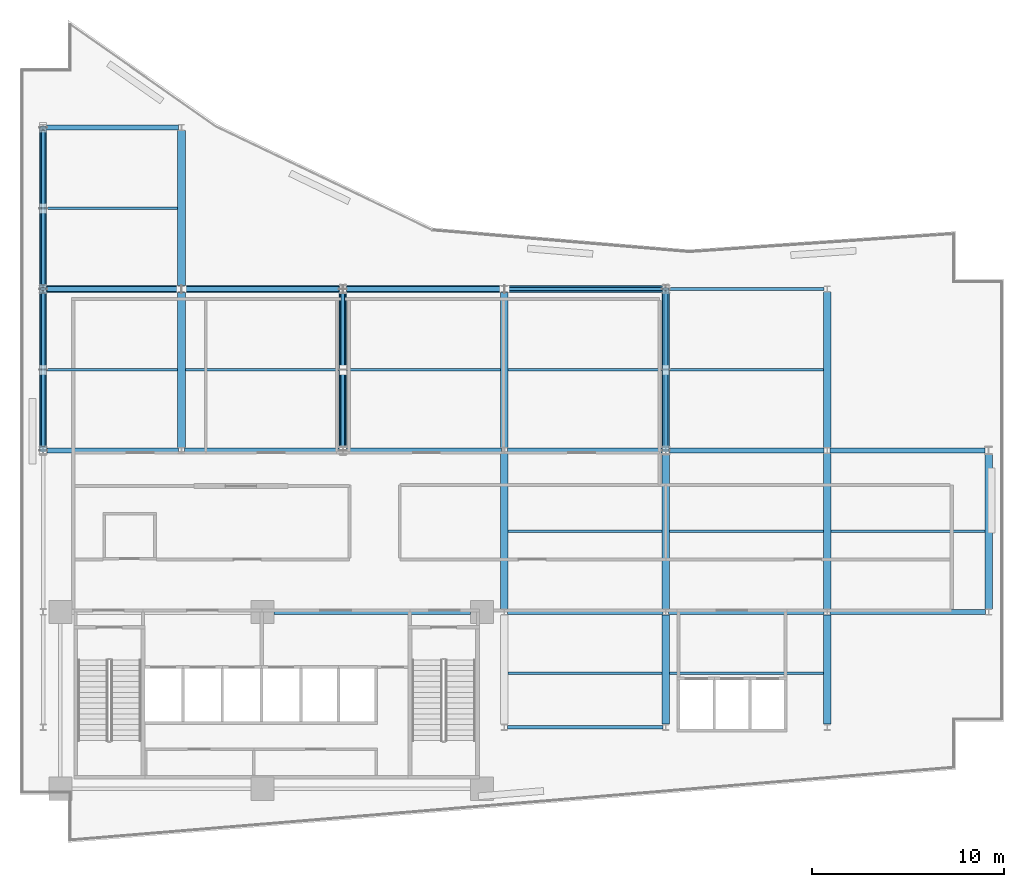
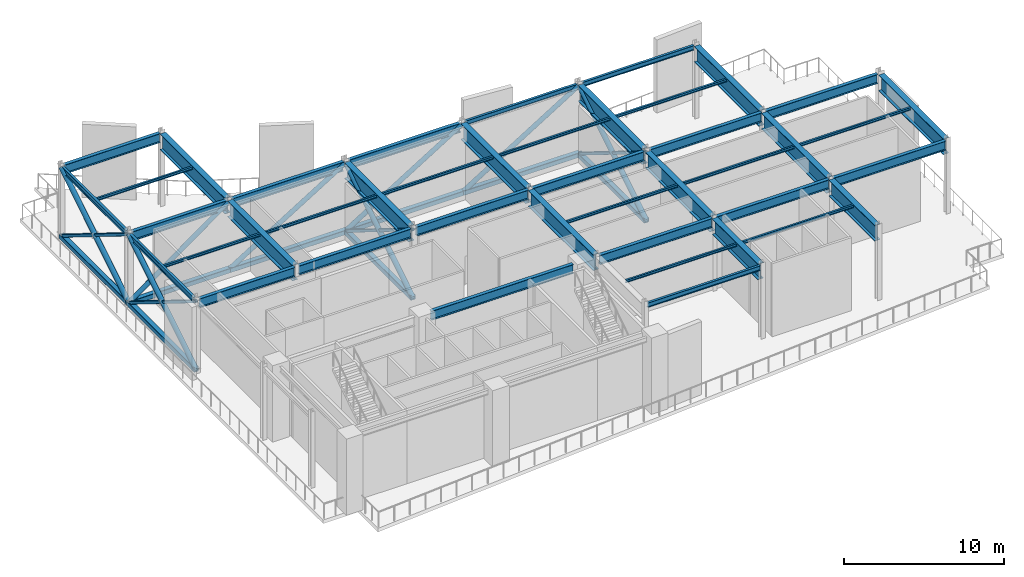
# One storey, part 4 of 13: 42 beams, 24 members.
"""IFC4 building model written with IfcOpenShell, lengths in metres."""

import ifcopenshell
import ifcopenshell.guid

model = None  # the IFC model being written
_history = None  # IfcOwnerHistory: only IFC2X3 demands one
_inside = {}  # id of a spatial element -> (the spatial element, [elements in it])
_under = {}  # id of a project, library or spatial element -> (it, [spatial elements below it])
_declared = {}  # id of a project -> (the project, [libraries it declares])
_typed = {}  # id of a type object -> (the type object, [elements of that type])
_made_of = {}  # id of a material, layer set ... -> (it, [elements and type objects made of it])


def new_model(schema):
    """Start an empty IFC model of exactly this schema.

    Asked for "IFC4X3", IfcOpenShell would pick the latest addendum, in which some entities
    have other attributes; the version numbers below select the first issue.
    IFC2X3 requires an IfcOwnerHistory on every rooted entity: one is made here for all.
    """
    global model, _history
    if schema == "IFC4X3":
        model = ifcopenshell.file(schema_version=(4, 3, 0, 0))
    else:
        model = ifcopenshell.file(schema=schema)
    _inside.clear()
    _under.clear()
    _declared.clear()
    _typed.clear()
    _made_of.clear()
    _history = None
    if model.schema == "IFC2X3":
        org = make("IfcOrganization", Name="unknown")
        user = make(
            "IfcPersonAndOrganization",
            ThePerson=make("IfcPerson", FamilyName="unknown"),
            TheOrganization=org,
        )
        app = make(
            "IfcApplication",
            ApplicationDeveloper=org,
            Version="unknown",
            ApplicationFullName="unknown",
            ApplicationIdentifier="unknown",
        )
        _history = make(
            "IfcOwnerHistory",
            OwningUser=user,
            OwningApplication=app,
            ChangeAction="ADDED",
            CreationDate=0,
        )
    return model


def make(cls, **values):
    """One entity of the class cls with the attributes given. An attribute that is None is left unset."""
    return model.create_entity(
        cls, **{name: value for name, value in values.items() if value is not None}
    )


def rooted(cls, **values):
    """An entity with a GlobalId (a new one), such as an element, a storey or a relation."""
    return make(cls, GlobalId=ifcopenshell.guid.new(), OwnerHistory=_history, **values)


def si_unit(unit_type, name, prefix=None):
    """IfcSIUnit, for example si_unit("LENGTHUNIT", "METRE", prefix="MILLI")."""
    return make("IfcSIUnit", UnitType=unit_type, Prefix=prefix, Name=name)


def assignment(units):
    """IfcUnitAssignment: the units of a project."""
    return None if units is None else make("IfcUnitAssignment", Units=units)


def point(xyz):
    """IfcCartesianPoint."""
    return None if xyz is None else make("IfcCartesianPoint", Coordinates=xyz)


def direction(xyz):
    """IfcDirection."""
    return None if xyz is None else make("IfcDirection", DirectionRatios=xyz)


def frame(location, z_axis=None, x_axis=None):
    """IfcAxis2Placement3D, a coordinate frame: its origin and axes. An axis left out is left unset."""
    return make(
        "IfcAxis2Placement3D",
        Location=point(location),
        Axis=direction(z_axis),
        RefDirection=direction(x_axis),
    )


def frame_2d(location, x_axis=None):
    """IfcAxis2Placement2D, a coordinate frame in the plane: its origin and x axis."""
    return make(
        "IfcAxis2Placement2D", Location=point(location), RefDirection=direction(x_axis)
    )


def origin():
    """The frame at (0, 0, 0) with its axes left unset."""
    return frame((0.0, 0.0, 0.0))


def origin_2d():
    """The frame at (0, 0) in the plane with its x axis left unset."""
    return frame_2d((0.0, 0.0))


def place(relative_to, where):
    """IfcLocalPlacement: puts the frame where relative to a parent placement (None: the world)."""
    return make(
        "IfcLocalPlacement", PlacementRelTo=relative_to, RelativePlacement=where
    )


def context(
    kind, dimensions, precision=None, world=None, true_north=None, identifier=None
):
    """IfcGeometricRepresentationContext, for example the 3D "Model" context."""
    return make(
        "IfcGeometricRepresentationContext",
        ContextIdentifier=identifier,
        ContextType=kind,
        CoordinateSpaceDimension=dimensions,
        Precision=precision,
        WorldCoordinateSystem=world,
        TrueNorth=true_north,
    )


def subcontext(parent, identifier, kind, view, scale=None):
    """IfcGeometricRepresentationSubContext, for example "Body" below "Model"."""
    return make(
        "IfcGeometricRepresentationSubContext",
        ContextIdentifier=identifier,
        ContextType=kind,
        ParentContext=parent,
        TargetScale=scale,
        TargetView=view,
    )


def project(units=None, contexts=None):
    """IfcProject with its units and contexts."""
    return rooted(
        "IfcProject",
        Name="project",
        RepresentationContexts=contexts,
        UnitsInContext=assignment(units),
    )


def spatial(cls, under=None, at=None, **own):
    """A site, building, storey or space (cls), placed at a placement, below another one or the project."""
    s = rooted(cls, ObjectPlacement=at, **own)
    if under is not None:
        _under.setdefault(under.id(), (under, []))[1].append(s)
    return s


def profile(cls, at=None, kind="AREA", **sizes):
    """A parametric profile (cls). Its sizes go by their IFC names, for example OverallWidth=200.0."""
    return make(cls, ProfileType=kind, Position=at, **sizes)


def hollow_rectangle(**sizes):
    """IfcRectangleHollowProfileDef."""
    return profile("IfcRectangleHollowProfileDef", **sizes)


def hollow_circle(**sizes):
    """IfcCircleHollowProfileDef."""
    return profile("IfcCircleHollowProfileDef", **sizes)


def i_section(**sizes):
    """IfcIShapeProfileDef."""
    return profile("IfcIShapeProfileDef", **sizes)


def extrude(swept, where, along, depth):
    """IfcExtrudedAreaSolid: the profile swept, set in the frame where, extruded along a direction by depth."""
    return make(
        "IfcExtrudedAreaSolid",
        SweptArea=swept,
        Position=where,
        ExtrudedDirection=direction(along),
        Depth=depth,
    )


def shape(context_of_items, identifier, shape_type, items):
    """IfcShapeRepresentation: the items that make up one representation, for example the "Body"."""
    return make(
        "IfcShapeRepresentation",
        ContextOfItems=context_of_items,
        RepresentationIdentifier=identifier,
        RepresentationType=shape_type,
        Items=items,
    )


def material(Name=None, Category=None):
    """IfcMaterial."""
    return make("IfcMaterial", Name=Name, Category=Category)


def material_profile(
    of_material, cross_section, Name=None, Category=None, Priority=None
):
    """IfcMaterialProfile: a cross section and its material."""
    return make(
        "IfcMaterialProfile",
        Name=Name,
        Material=of_material,
        Profile=cross_section,
        Priority=Priority,
        Category=Category,
    )


def profile_set(profiles, Name=None, composite=None):
    """IfcMaterialProfileSet."""
    return make(
        "IfcMaterialProfileSet",
        Name=Name,
        MaterialProfiles=profiles,
        CompositeProfile=composite,
    )


def made_of(thing, what):
    """Note that an element or type object is made of a material, layer set ...; save() writes the relation."""
    if what is not None:
        _made_of.setdefault(what.id(), (what, []))[1].append(thing)
    return thing


def type_object(cls, material=None, **own):
    """A type object (cls), such as IfcWallType, which elements share."""
    return made_of(rooted(cls, **own), material)


def element(
    cls,
    number,
    at=None,
    inside=None,
    cuts=None,
    type_object=None,
    material=None,
    context=None,
    identifier="Body",
    shape_type=None,
    held_by="IfcProductDefinitionShape",
    body=None,
    shapes=None,
    **own,
):
    """One element of the class cls, such as IfcWall. Its Tag is "e" and its number.

    at: its placement. inside: the storey or other place that contains it. cuts: it is an
    opening in that element (IfcRelVoidsElement). A single representation is given by context,
    identifier, shape_type and body (its items); several are given by shapes. held_by: the class
    of the entity that holds the representations. save() writes the other relations.
    """
    e = rooted(cls, Tag="e%d" % number, ObjectPlacement=at, **own)
    if body is not None:
        shapes = [shape(context, identifier, shape_type, body)]
    if shapes is not None:
        e.Representation = make(held_by, Representations=shapes)
    if inside is not None:
        _inside.setdefault(inside.id(), (inside, []))[1].append(e)
    if cuts is not None:
        rooted(
            "IfcRelVoidsElement", RelatingBuildingElement=cuts, RelatedOpeningElement=e
        )
    if type_object is not None:
        _typed.setdefault(type_object.id(), (type_object, []))[1].append(e)
    return made_of(e, material)


def aggregate(whole, parts):
    """IfcRelAggregates: a whole, such as a stair, and the parts it consists of."""
    return rooted("IfcRelAggregates", RelatingObject=whole, RelatedObjects=parts)


def save(model, path):
    """Write the relations noted so far, then the file.

    IfcRelAggregates (storeys below a building ...), IfcRelContainedInSpatialStructure (elements
    in a storey), IfcRelDefinesByType, IfcRelAssociatesMaterial and IfcRelDeclares: one each for
    every whole, place, type object, material and project.
    """
    for whole, parts in _under.values():
        aggregate(whole, parts)
    for where, things in _inside.values():
        rooted(
            "IfcRelContainedInSpatialStructure",
            RelatedElements=things,
            RelatingStructure=where,
        )
    for kind, things in _typed.values():
        rooted("IfcRelDefinesByType", RelatedObjects=things, RelatingType=kind)
    for what, things in _made_of.values():
        rooted("IfcRelAssociatesMaterial", RelatedObjects=things, RelatingMaterial=what)
    for by, libraries in _declared.values():
        rooted("IfcRelDeclares", RelatingContext=by, RelatedDefinitions=libraries)
    model.write(path)


model = new_model("IFC4")

# Units and contexts
model_context = context("Model", 3, precision=1e-05, world=origin(), true_north=direction((0.0, 1.0)))
body_context = subcontext(model_context, "Body", "Model", "MODEL_VIEW")
ifc_project = project(units=[si_unit("LENGTHUNIT", "METRE"), si_unit("AREAUNIT", "SQUARE_METRE"), si_unit("VOLUMEUNIT", "CUBIC_METRE"), si_unit("PLANEANGLEUNIT", "RADIAN"), si_unit("MASSUNIT", "GRAM", prefix="KILO")], contexts=[model_context])

# Site, building, storey
site_placement = place(None, origin())
site = spatial("IfcSite", under=ifc_project, at=site_placement, CompositionType="ELEMENT")
building_placement = place(site_placement, origin())
building = spatial("IfcBuilding", under=site, at=building_placement, Name="Varnakote Quay Hospital", CompositionType="ELEMENT")
storey_placement = place(building_placement, frame((0.0, 0.0, 174.449951171875)))
storey = spatial("IfcBuildingStorey", under=building, at=storey_placement, Name="L43", CompositionType="ELEMENT", Elevation=174.449951171875)

# Beams
ifc_material_1 = material(Name="Structural steel AS/NZS 3678 Grade 350 (fy 340 MPa)", Category="steel")
ifc_material_profile_1 = material_profile(ifc_material_1, i_section(OverallWidth=0.39990234375, OverallDepth=1.2099609375, WebThickness=0.01611328125, FlangeThickness=0.0400390625, at=origin_2d()), Name="1200WB392")
ifc_profile_set_1 = profile_set([ifc_material_profile_1], Name="Structural steel AS/NZS 3678 Grade 350 (fy 340 MPa)")
beam_type_1 = type_object("IfcBeamType", Name="BM-STL-1200WB392", PredefinedType="BEAM", material=ifc_profile_set_1)
for number, where, z_axis, x_axis, name in (
    (1, (8.39990234375, 20.5576171875, 4.955078125), (0.0, 1.0, 0.0), (-1.0, 0.0, 0.0), "L43 Primary Tie Beam"),
    (2, (8.39990234375, 28.95751953125, 4.955078125), (0.0, 1.0, 0.0), (-1.0, 0.0, 0.0), "L43 Primary Tie Beam"),
):
    element("IfcBeam", number, at=place(storey_placement, frame(where, z_axis=z_axis, x_axis=x_axis)), inside=storey, type_object=beam_type_1, Name=name, PredefinedType="BEAM", context=body_context, shape_type="SweptSolid", body=[
        extrude(i_section(OverallWidth=0.39990234375, OverallDepth=1.2099609375, WebThickness=0.01611328125, FlangeThickness=0.0400390625, at=origin_2d()), origin(), (0.0, 0.0, 1.0), 8.0849609375),
    ])
beam_1_placement = place(storey_placement, frame((16.800048828125, 20.610107421875, 4.955078125), z_axis=(0.0, 1.0, 0.0), x_axis=(-1.0, 0.0, 0.0)))
element("IfcBeam", 3, at=beam_1_placement, inside=storey, type_object=beam_type_1, Name="L43 Primary Tie Beam", PredefinedType="BEAM", context=body_context, shape_type="SweptSolid", body=[
    extrude(i_section(OverallWidth=0.39990234375, OverallDepth=1.2099609375, WebThickness=0.01611328125, FlangeThickness=0.0400390625, at=origin_2d()), origin(), (0.0, 0.0, 1.0), 7.97998046875),
])
for number, where, z_axis, x_axis, name in (
    (4, (25.199951171875, 12.157470703125, 4.955078125), (0.0, 1.0, 0.0), (-1.0, 0.0, 0.0), "L43 Primary Tie Beam"),
    (5, (25.199951171875, 20.5576171875, 4.955078125), (0.0, 1.0, 0.0), (-1.0, 0.0, 0.0), "L43 Primary Tie Beam"),
):
    element("IfcBeam", number, at=place(storey_placement, frame(where, z_axis=z_axis, x_axis=x_axis)), inside=storey, type_object=beam_type_1, Name=name, PredefinedType="BEAM", context=body_context, shape_type="SweptSolid", body=[
        extrude(i_section(OverallWidth=0.39990234375, OverallDepth=1.2099609375, WebThickness=0.01611328125, FlangeThickness=0.0400390625, at=origin_2d()), origin(), (0.0, 0.0, 1.0), 8.0849609375),
    ])
beam_2_placement = place(storey_placement, frame((33.60009765625, 6.157470703125, 4.955078125), z_axis=(0.0, 1.0, 0.0), x_axis=(-1.0, 0.0, 0.0)))
element("IfcBeam", 6, at=beam_2_placement, inside=storey, type_object=beam_type_1, Name="L43 Primary Tie Beam", PredefinedType="BEAM", context=body_context, shape_type="SweptSolid", body=[
    extrude(i_section(OverallWidth=0.39990234375, OverallDepth=1.2099609375, WebThickness=0.01611328125, FlangeThickness=0.0400390625, at=origin_2d()), origin(), (0.0, 0.0, 1.0), 5.68505859375),
])
beam_3_placement = place(storey_placement, frame((33.60009765625, 12.157470703125, 4.955078125), z_axis=(0.0, 1.0, 0.0), x_axis=(-1.0, 0.0, 0.0)))
element("IfcBeam", 7, at=beam_3_placement, inside=storey, type_object=beam_type_1, Name="L43 Primary Tie Beam", PredefinedType="BEAM", context=body_context, shape_type="SweptSolid", body=[
    extrude(i_section(OverallWidth=0.39990234375, OverallDepth=1.2099609375, WebThickness=0.01611328125, FlangeThickness=0.0400390625, at=origin_2d()), origin(), (0.0, 0.0, 1.0), 8.032470703125),
])
beam_4_placement = place(storey_placement, frame((33.60009765625, 20.610107421875, 4.955078125), z_axis=(0.0, 1.0, 0.0), x_axis=(-1.0, 0.0, 0.0)))
element("IfcBeam", 8, at=beam_4_placement, inside=storey, type_object=beam_type_1, Name="L43 Primary Tie Beam", PredefinedType="BEAM", context=body_context, shape_type="SweptSolid", body=[
    extrude(i_section(OverallWidth=0.39990234375, OverallDepth=1.2099609375, WebThickness=0.01611328125, FlangeThickness=0.0400390625, at=origin_2d()), origin(), (0.0, 0.0, 1.0), 7.97998046875),
])
beam_5_placement = place(storey_placement, frame((42.0, 6.157470703125, 4.955078125), z_axis=(0.0, 1.0, 0.0), x_axis=(-1.0, 0.0, 0.0)))
element("IfcBeam", 9, at=beam_5_placement, inside=storey, type_object=beam_type_1, Name="L43 Primary Tie Beam", PredefinedType="BEAM", context=body_context, shape_type="SweptSolid", body=[
    extrude(i_section(OverallWidth=0.39990234375, OverallDepth=1.2099609375, WebThickness=0.01611328125, FlangeThickness=0.0400390625, at=origin_2d()), origin(), (0.0, 0.0, 1.0), 5.68505859375),
])
for number, where, z_axis, x_axis, name in (
    (10, (42.0, 12.157470703125, 4.955078125), (0.0, 1.0, 0.0), (-1.0, 0.0, 0.0), "L43 Primary Tie Beam"),
    (11, (42.0, 20.5576171875, 4.955078125), (0.0, 1.0, 0.0), (-1.0, 0.0, 0.0), "L43 Primary Tie Beam"),
):
    element("IfcBeam", number, at=place(storey_placement, frame(where, z_axis=z_axis, x_axis=x_axis)), inside=storey, type_object=beam_type_1, Name=name, PredefinedType="BEAM", context=body_context, shape_type="SweptSolid", body=[
        extrude(i_section(OverallWidth=0.39990234375, OverallDepth=1.2099609375, WebThickness=0.01611328125, FlangeThickness=0.0400390625, at=origin_2d()), origin(), (0.0, 0.0, 1.0), 8.0849609375),
    ])
beam_6_placement = place(storey_placement, frame((50.39990234375, 12.157470703125, 4.955078125), z_axis=(0.0, 1.0, 0.0), x_axis=(-1.0, 0.0, 0.0)))
element("IfcBeam", 12, at=beam_6_placement, inside=storey, type_object=beam_type_1, Name="L43 Primary Tie Beam", PredefinedType="BEAM", context=body_context, shape_type="SweptSolid", body=[
    extrude(i_section(OverallWidth=0.39990234375, OverallDepth=1.2099609375, WebThickness=0.01611328125, FlangeThickness=0.0400390625, at=origin_2d()), origin(), (0.0, 0.0, 1.0), 8.032470703125),
])
ifc_material_2 = material(Name="Structural steel AS/NZS 3678 Grade 350 (fy 340 MPa)", Category="steel")
ifc_material_profile_2 = material_profile(ifc_material_2, i_section(OverallWidth=0.25, OverallDepth=0.699951171875, WebThickness=0.010009765625, FlangeThickness=0.02001953125, at=origin_2d()), Name="700WB130")
ifc_profile_set_2 = profile_set([ifc_material_profile_2], Name="Structural steel AS/NZS 3678 Grade 350 (fy 340 MPa)")
beam_type_2 = type_object("IfcBeamType", Name="BM-STL-700WB130", PredefinedType="BEAM", material=ifc_profile_set_2)
beam_7_placement = place(storey_placement, frame((13.219970703125, 12.0, 5.2099609375), z_axis=(1.0, 0.0, 0.0), x_axis=(0.0, 1.0, 0.0)))
element("IfcBeam", 13, at=beam_7_placement, inside=storey, type_object=beam_type_2, Name="L43 Primary Floor Beam", PredefinedType="BEAM", context=body_context, shape_type="SweptSolid", body=[
    extrude(i_section(OverallWidth=0.25, OverallDepth=0.699951171875, WebThickness=0.010009765625, FlangeThickness=0.02001953125, at=origin_2d()), origin(), (0.0, 0.0, 1.0), 10.22998046875),
])
for number, where, z_axis, x_axis, name in (
    (14, (25.353515625, 12.0, 5.2099609375), (1.0, 0.0, 0.0), (0.0, 1.0, 0.0), "L43 Primary Floor Beam"),
    (15, (33.75341796875, 12.0, 5.2099609375), (1.0, 0.0, 0.0), (0.0, 1.0, 0.0), "L43 Primary Floor Beam"),
    (16, (42.153564453125, 12.0, 5.2099609375), (1.0, 0.0, 0.0), (0.0, 1.0, 0.0), "L43 Primary Floor Beam"),
):
    element("IfcBeam", number, at=place(storey_placement, frame(where, z_axis=z_axis, x_axis=x_axis)), inside=storey, type_object=beam_type_2, Name=name, PredefinedType="BEAM", context=body_context, shape_type="SweptSolid", body=[
        extrude(i_section(OverallWidth=0.25, OverallDepth=0.699951171875, WebThickness=0.010009765625, FlangeThickness=0.02001953125, at=origin_2d()), origin(), (0.0, 0.0, 1.0), 8.093017578125),
    ])
beam_8_placement = place(storey_placement, frame((1.39990234375, 20.39990234375, 5.2099609375), z_axis=(1.0, 0.0, 0.0), x_axis=(0.0, 1.0, 0.0)))
element("IfcBeam", 17, at=beam_8_placement, inside=storey, type_object=beam_type_2, Name="L43 Primary Floor Beam", PredefinedType="BEAM", context=body_context, shape_type="SweptSolid", body=[
    extrude(i_section(OverallWidth=0.25, OverallDepth=0.699951171875, WebThickness=0.010009765625, FlangeThickness=0.02001953125, at=origin_2d()), origin(), (0.0, 0.0, 1.0), 6.8466796875),
])
beam_9_placement = place(storey_placement, frame((8.553466796875, 20.39990234375, 5.2099609375), z_axis=(1.0, 0.0, 0.0), x_axis=(0.0, 1.0, 0.0)))
element("IfcBeam", 18, at=beam_9_placement, inside=storey, type_object=beam_type_2, Name="L43 Primary Floor Beam", PredefinedType="BEAM", context=body_context, shape_type="SweptSolid", body=[
    extrude(i_section(OverallWidth=0.25, OverallDepth=0.699951171875, WebThickness=0.010009765625, FlangeThickness=0.02001953125, at=origin_2d()), origin(), (0.0, 0.0, 1.0), 8.046630859375),
])
for number, where, z_axis, x_axis, name in (
    (19, (17.0, 20.39990234375, 5.2099609375), (1.0, 0.0, 0.0), (0.0, 1.0, 0.0), "L43 Primary Floor Beam"),
    (20, (25.353515625, 20.39990234375, 5.2099609375), (1.0, 0.0, 0.0), (0.0, 1.0, 0.0), "L43 Primary Floor Beam"),
    (21, (33.800048828125, 20.39990234375, 5.2099609375), (1.0, 0.0, 0.0), (0.0, 1.0, 0.0), "L43 Primary Floor Beam"),
    (22, (42.153564453125, 20.39990234375, 5.2099609375), (1.0, 0.0, 0.0), (0.0, 1.0, 0.0), "L43 Primary Floor Beam"),
):
    element("IfcBeam", number, at=place(storey_placement, frame(where, z_axis=z_axis, x_axis=x_axis)), inside=storey, type_object=beam_type_2, Name=name, PredefinedType="BEAM", context=body_context, shape_type="SweptSolid", body=[
        extrude(i_section(OverallWidth=0.25, OverallDepth=0.699951171875, WebThickness=0.010009765625, FlangeThickness=0.02001953125, at=origin_2d()), origin(), (0.0, 0.0, 1.0), 8.04638671875),
    ])
beam_10_placement = place(storey_placement, frame((1.39990234375, 28.800048828125, 5.2099609375), z_axis=(1.0, 0.0, 0.0), x_axis=(0.0, 1.0, 0.0)))
element("IfcBeam", 23, at=beam_10_placement, inside=storey, type_object=beam_type_2, Name="L43 Primary Floor Beam", PredefinedType="BEAM", context=body_context, shape_type="SweptSolid", body=[
    extrude(i_section(OverallWidth=0.25, OverallDepth=0.699951171875, WebThickness=0.010009765625, FlangeThickness=0.02001953125, at=origin_2d()), origin(), (0.0, 0.0, 1.0), 6.8466796875),
])
beam_11_placement = place(storey_placement, frame((8.553466796875, 28.800048828125, 5.2099609375), z_axis=(1.0, 0.0, 0.0), x_axis=(0.0, 1.0, 0.0)))
element("IfcBeam", 24, at=beam_11_placement, inside=storey, type_object=beam_type_2, Name="L43 Primary Floor Beam", PredefinedType="BEAM", context=body_context, shape_type="SweptSolid", body=[
    extrude(i_section(OverallWidth=0.25, OverallDepth=0.699951171875, WebThickness=0.010009765625, FlangeThickness=0.02001953125, at=origin_2d()), origin(), (0.0, 0.0, 1.0), 8.046630859375),
])
beam_12_placement = place(storey_placement, frame((17.0, 28.800048828125, 5.2099609375), z_axis=(1.0, 0.0, 0.0), x_axis=(0.0, 1.0, 0.0)))
element("IfcBeam", 25, at=beam_12_placement, inside=storey, type_object=beam_type_2, Name="L43 Primary Floor Beam", PredefinedType="BEAM", context=body_context, shape_type="SweptSolid", body=[
    extrude(i_section(OverallWidth=0.25, OverallDepth=0.699951171875, WebThickness=0.010009765625, FlangeThickness=0.02001953125, at=origin_2d()), origin(), (0.0, 0.0, 1.0), 8.04638671875),
])
beam_13_placement = place(storey_placement, frame((1.353515625, 37.199951171875, 5.2099609375), z_axis=(1.0, 0.0, 0.0), x_axis=(0.0, 1.0, 0.0)))
element("IfcBeam", 26, at=beam_13_placement, inside=storey, type_object=beam_type_2, Name="L43 Primary Floor Beam", PredefinedType="BEAM", context=body_context, shape_type="SweptSolid", body=[
    extrude(i_section(OverallWidth=0.25, OverallDepth=0.699951171875, WebThickness=0.010009765625, FlangeThickness=0.02001953125, at=origin_2d()), origin(), (0.0, 0.0, 1.0), 6.89306640625),
])
ifc_material_3 = material(Name="Structural steel AS/NZS 3679.1 Grade 350 L0 (fy 340 MPa)", Category="steel")
ifc_material_profile_3 = material_profile(ifc_material_3, i_section(OverallWidth=0.134033203125, OverallDepth=0.20703125, WebThickness=0.00634765625, FlangeThickness=0.009521484375, FilletRadius=0.0087890625, at=origin_2d()), Name="200UB29.8")
ifc_profile_set_3 = profile_set([ifc_material_profile_3], Name="Structural steel AS/NZS 3679.1 Grade 350 L0 (fy 340 MPa)")
beam_type_3 = type_object("IfcBeamType", Name="JST-STL-200UB29-8", PredefinedType="JOIST", material=ifc_profile_set_3)
for number, where, z_axis, x_axis, name in (
    (27, (25.39990234375, 8.800048828125, 5.45654296875), (1.0, 0.0, 0.0), (0.0, 1.0, 0.0), "L43 Composite Floor Joist"),
    (28, (33.800048828125, 8.800048828125, 5.45654296875), (1.0, 0.0, 0.0), (0.0, 1.0, 0.0), "L43 Composite Floor Joist"),
    (29, (25.39990234375, 16.199951171875, 5.45654296875), (1.0, 0.0, 0.0), (0.0, 1.0, 0.0), "L43 Composite Floor Joist"),
    (30, (33.800048828125, 16.199951171875, 5.45654296875), (1.0, 0.0, 0.0), (0.0, 1.0, 0.0), "L43 Composite Floor Joist"),
    (31, (42.199951171875, 16.199951171875, 5.45654296875), (1.0, 0.0, 0.0), (0.0, 1.0, 0.0), "L43 Composite Floor Joist"),
):
    element("IfcBeam", number, at=place(storey_placement, frame(where, z_axis=z_axis, x_axis=x_axis)), inside=storey, type_object=beam_type_3, Name=name, PredefinedType="JOIST", context=body_context, shape_type="SweptSolid", body=[
        extrude(i_section(OverallWidth=0.134033203125, OverallDepth=0.20703125, WebThickness=0.00634765625, FlangeThickness=0.009521484375, FilletRadius=0.0087890625, at=origin_2d()), origin(), (0.0, 0.0, 1.0), 8.0),
    ])
beam_14_placement = place(storey_placement, frame((1.2890625, 24.60009765625, 5.45654296875), z_axis=(1.0, 0.0, 0.0), x_axis=(0.0, 1.0, 0.0)))
element("IfcBeam", 32, at=beam_14_placement, inside=storey, type_object=beam_type_3, Name="L43 Composite Floor Joist", PredefinedType="JOIST", context=body_context, shape_type="SweptSolid", body=[
    extrude(i_section(OverallWidth=0.134033203125, OverallDepth=0.20703125, WebThickness=0.00634765625, FlangeThickness=0.009521484375, FilletRadius=0.0087890625, at=origin_2d()), origin(), (0.0, 0.0, 1.0), 6.910888671875),
])
for number, where, z_axis, x_axis, name in (
    (33, (8.60009765625, 24.60009765625, 5.45654296875), (1.0, 0.0, 0.0), (0.0, 1.0, 0.0), "L43 Composite Floor Joist"),
    (34, (17.0, 24.60009765625, 5.45654296875), (1.0, 0.0, 0.0), (0.0, 1.0, 0.0), "L43 Composite Floor Joist"),
    (35, (25.39990234375, 24.60009765625, 5.45654296875), (1.0, 0.0, 0.0), (0.0, 1.0, 0.0), "L43 Composite Floor Joist"),
    (36, (33.800048828125, 24.60009765625, 5.45654296875), (1.0, 0.0, 0.0), (0.0, 1.0, 0.0), "L43 Composite Floor Joist"),
):
    element("IfcBeam", number, at=place(storey_placement, frame(where, z_axis=z_axis, x_axis=x_axis)), inside=storey, type_object=beam_type_3, Name=name, PredefinedType="JOIST", context=body_context, shape_type="SweptSolid", body=[
        extrude(i_section(OverallWidth=0.134033203125, OverallDepth=0.20703125, WebThickness=0.00634765625, FlangeThickness=0.009521484375, FilletRadius=0.0087890625, at=origin_2d()), origin(), (0.0, 0.0, 1.0), 8.0),
    ])
beam_15_placement = place(storey_placement, frame((1.2890625, 33.0, 5.45654296875), z_axis=(1.0, 0.0, 0.0), x_axis=(0.0, 1.0, 0.0)))
element("IfcBeam", 37, at=beam_15_placement, inside=storey, type_object=beam_type_3, Name="L43 Composite Floor Joist", PredefinedType="JOIST", context=body_context, shape_type="SweptSolid", body=[
    extrude(i_section(OverallWidth=0.134033203125, OverallDepth=0.20703125, WebThickness=0.00634765625, FlangeThickness=0.009521484375, FilletRadius=0.0087890625, at=origin_2d()), origin(), (0.0, 0.0, 1.0), 6.910888671875),
])

# Members
ifc_material_4 = material(Name="Structural steel AS/NZS 1163 Grade 350 C350L0 (fy 350 MPa)", Category="steel")
ifc_material_profile_4 = material_profile(ifc_material_4, hollow_circle(Radius=0.161865234375, WallThickness=0.0126953125, at=origin_2d()), Name="323.9x12.7CHS")
ifc_profile_set_4 = profile_set([ifc_material_profile_4], Name="Structural steel AS/NZS 1163 Grade 350 C350L0 (fy 350 MPa)")
member_type_1 = type_object("IfcMemberType", Name="MBR-BRC-323-9x12-7CHS", PredefinedType="BRACE", material=ifc_profile_set_4)
member_1_placement = place(storey_placement, frame((1.199951171875, 28.800048828125, 0.179931640625), z_axis=(0.810666905735, 0.0, 0.585507615617), x_axis=(0.0, 1.0, 0.0)))
element("IfcMember", 38, at=member_1_placement, inside=storey, type_object=member_type_1, Name="L43 Belt Truss Diagonal Brace", PredefinedType="BRACE", context=body_context, shape_type="SweptSolid", body=[
    extrude(hollow_circle(Radius=0.161865234375, WallThickness=0.0126953125, at=origin_2d()), origin(), (0.0, 0.0, 1.0), 8.881591796875),
])
for number, where, z_axis, x_axis, name in (
    (39, (8.39990234375, 28.800048828125, 0.179931640625), (0.850260406841, 0.0, 0.526362271215), (0.0, 1.0, 0.0), "L43 Belt Truss Diagonal Brace"),
    (40, (16.800048828125, 28.800048828125, 0.179931640625), (0.85025356003, 0.0, 0.526373331065), (0.0, 1.0, 0.0), "L43 Belt Truss Diagonal Brace"),
    (41, (25.199951171875, 28.800048828125, 0.179931640625), (0.850260406841, 0.0, 0.526362271215), (0.0, 1.0, 0.0), "L43 Belt Truss Diagonal Brace"),
):
    element("IfcMember", number, at=place(storey_placement, frame(where, z_axis=z_axis, x_axis=x_axis)), inside=storey, type_object=member_type_1, Name=name, PredefinedType="BRACE", context=body_context, shape_type="SweptSolid", body=[
        extrude(hollow_circle(Radius=0.161865234375, WallThickness=0.0126953125, at=origin_2d()), origin(), (0.0, 0.0, 1.0), 9.87939453125),
    ])
ifc_material_5 = material(Name="Structural steel AS/NZS 1163 Grade 350 C350L0 (fy 350 MPa)", Category="steel")
ifc_material_profile_5 = material_profile(ifc_material_5, hollow_circle(Radius=0.177734375, WallThickness=0.0126953125, at=origin_2d()), Name="355.6x12.7CHS")
ifc_profile_set_5 = profile_set([ifc_material_profile_5], Name="Structural steel AS/NZS 1163 Grade 350 C350L0 (fy 350 MPa)")
member_type_2 = type_object("IfcMemberType", Name="MBR-BRC-355-6x12-7CHS", PredefinedType="BRACE", material=ifc_profile_set_5)
for number, where, z_axis, x_axis, name in (
    (42, (1.199951171875, 20.39990234375, 0.179931640625), (0.0, 0.850260406841, 0.526362271215), (-1.0, 0.0, 0.0), "L43 Outrigger Truss Continuous Primary Diagonal Brace"),
    (43, (1.199951171875, 28.800048828125, 0.179931640625), (0.0, 0.85025356003, 0.526373331065), (-1.0, 0.0, 0.0), "L43 Outrigger Truss Continuous Primary Diagonal Brace"),
    (44, (16.800048828125, 20.39990234375, 0.179931640625), (0.0, 0.850260406841, 0.526362271215), (-1.0, 0.0, 0.0), "L43 Outrigger Truss Continuous Primary Diagonal Brace"),
    (45, (33.60009765625, 20.39990234375, 0.179931640625), (0.0, 0.850260406841, 0.526362271215), (-1.0, 0.0, 0.0), "L43 Outrigger Truss Continuous Primary Diagonal Brace"),
):
    element("IfcMember", number, at=place(storey_placement, frame(where, z_axis=z_axis, x_axis=x_axis)), inside=storey, type_object=member_type_2, Name=name, PredefinedType="BRACE", context=body_context, shape_type="SweptSolid", body=[
        extrude(hollow_circle(Radius=0.177734375, WallThickness=0.0126953125, at=origin_2d()), origin(), (0.0, 0.0, 1.0), 9.87939453125),
    ])
ifc_material_6 = material(Name="Structural steel AS/NZS 1163 Grade 350 C350L0 (fy 350 MPa)", Category="steel")
ifc_material_profile_6 = material_profile(ifc_material_6, hollow_rectangle(XDim=0.35009765625, YDim=0.35009765625, WallThickness=0.01611328125, InnerFilletRadius=0.01611328125, OuterFilletRadius=0.031982421875, at=origin_2d()), Name="350x350x16.0SHS")
ifc_profile_set_6 = profile_set([ifc_material_profile_6], Name="Structural steel AS/NZS 1163 Grade 350 C350L0 (fy 350 MPa)")
member_type_3 = type_object("IfcMemberType", Name="MBR-CHD-350x350x16-0SHS", PredefinedType="CHORD", material=ifc_profile_set_6)
member_2_placement = place(storey_placement, frame((1.199951171875, 20.39990234375, 0.179931640625), z_axis=(0.0, 1.0, 0.0), x_axis=(-1.0, 0.0, 0.0)))
element("IfcMember", 46, at=member_2_placement, inside=storey, type_object=member_type_3, Name="L43 Outrigger Truss Bottom Chord", PredefinedType="CHORD", context=body_context, shape_type="SweptSolid", body=[
    extrude(hollow_rectangle(XDim=0.35009765625, YDim=0.35009765625, WallThickness=0.01611328125, InnerFilletRadius=0.01611328125, OuterFilletRadius=0.031982421875, at=origin_2d()), origin(), (0.0, 0.0, 1.0), 8.400146484375),
])
member_3_placement = place(storey_placement, frame((1.199951171875, 28.800048828125, 0.179931640625), z_axis=(0.0, 1.0, 0.0), x_axis=(-1.0, 0.0, 0.0)))
element("IfcMember", 47, at=member_3_placement, inside=storey, type_object=member_type_3, Name="L43 Outrigger Truss Bottom Chord", PredefinedType="CHORD", context=body_context, shape_type="SweptSolid", body=[
    extrude(hollow_rectangle(XDim=0.35009765625, YDim=0.35009765625, WallThickness=0.01611328125, InnerFilletRadius=0.01611328125, OuterFilletRadius=0.031982421875, at=origin_2d()), origin(), (0.0, 0.0, 1.0), 8.39990234375),
])
for number, where, z_axis, x_axis, name in (
    (48, (16.800048828125, 20.39990234375, 0.179931640625), (0.0, 1.0, 0.0), (-1.0, 0.0, 0.0), "L43 Outrigger Truss Bottom Chord"),
    (49, (33.60009765625, 20.39990234375, 0.179931640625), (0.0, 1.0, 0.0), (-1.0, 0.0, 0.0), "L43 Outrigger Truss Bottom Chord"),
):
    element("IfcMember", number, at=place(storey_placement, frame(where, z_axis=z_axis, x_axis=x_axis)), inside=storey, type_object=member_type_3, Name=name, PredefinedType="CHORD", context=body_context, shape_type="SweptSolid", body=[
        extrude(hollow_rectangle(XDim=0.35009765625, YDim=0.35009765625, WallThickness=0.01611328125, InnerFilletRadius=0.01611328125, OuterFilletRadius=0.031982421875, at=origin_2d()), origin(), (0.0, 0.0, 1.0), 8.400146484375),
    ])
member_4_placement = place(storey_placement, frame((1.199951171875, 28.800048828125, 0.179931640625), z_axis=(1.0, 0.0, 0.0), x_axis=(0.0, 1.0, 0.0)))
element("IfcMember", 50, at=member_4_placement, inside=storey, type_object=member_type_3, Name="L43 Belt Truss Bottom Chord", PredefinedType="CHORD", context=body_context, shape_type="SweptSolid", body=[
    extrude(hollow_rectangle(XDim=0.35009765625, YDim=0.35009765625, WallThickness=0.01611328125, InnerFilletRadius=0.01611328125, OuterFilletRadius=0.031982421875, at=origin_2d()), origin(), (0.0, 0.0, 1.0), 7.199951171875),
])
member_5_placement = place(storey_placement, frame((8.39990234375, 28.800048828125, 0.179931640625), z_axis=(1.0, 0.0, 0.0), x_axis=(0.0, 1.0, 0.0)))
element("IfcMember", 51, at=member_5_placement, inside=storey, type_object=member_type_3, Name="L43 Belt Truss Bottom Chord", PredefinedType="CHORD", context=body_context, shape_type="SweptSolid", body=[
    extrude(hollow_rectangle(XDim=0.35009765625, YDim=0.35009765625, WallThickness=0.01611328125, InnerFilletRadius=0.01611328125, OuterFilletRadius=0.031982421875, at=origin_2d()), origin(), (0.0, 0.0, 1.0), 8.400146484375),
])
member_6_placement = place(storey_placement, frame((16.800048828125, 28.800048828125, 0.179931640625), z_axis=(1.0, 0.0, 0.0), x_axis=(0.0, 1.0, 0.0)))
element("IfcMember", 52, at=member_6_placement, inside=storey, type_object=member_type_3, Name="L43 Belt Truss Bottom Chord", PredefinedType="CHORD", context=body_context, shape_type="SweptSolid", body=[
    extrude(hollow_rectangle(XDim=0.35009765625, YDim=0.35009765625, WallThickness=0.01611328125, InnerFilletRadius=0.01611328125, OuterFilletRadius=0.031982421875, at=origin_2d()), origin(), (0.0, 0.0, 1.0), 8.39990234375),
])
member_7_placement = place(storey_placement, frame((25.199951171875, 28.800048828125, 0.179931640625), z_axis=(1.0, 0.0, 0.0), x_axis=(0.0, 1.0, 0.0)))
element("IfcMember", 53, at=member_7_placement, inside=storey, type_object=member_type_3, Name="L43 Belt Truss Bottom Chord", PredefinedType="CHORD", context=body_context, shape_type="SweptSolid", body=[
    extrude(hollow_rectangle(XDim=0.35009765625, YDim=0.35009765625, WallThickness=0.01611328125, InnerFilletRadius=0.01611328125, OuterFilletRadius=0.031982421875, at=origin_2d()), origin(), (0.0, 0.0, 1.0), 8.400146484375),
])
ifc_material_7 = material(Name="Structural steel AS/NZS 1163 Grade 350 C350L0 (fy 350 MPa)", Category="steel")
ifc_material_profile_7 = material_profile(ifc_material_7, hollow_rectangle(XDim=0.199951171875, YDim=0.199951171875, WallThickness=0.010009765625, InnerFilletRadius=0.010009765625, OuterFilletRadius=0.02001953125, at=origin_2d()), Name="200x200x10.0SHS")
ifc_profile_set_7 = profile_set([ifc_material_profile_7], Name="Structural steel AS/NZS 1163 Grade 350 C350L0 (fy 350 MPa)")
member_type_4 = type_object("IfcMemberType", Name="MBR-PST-200x200x10-0SHS", PredefinedType="POST", material=ifc_profile_set_7)
member_8_placement = place(storey_placement, frame((1.199951171875, 28.800048828125, 0.179931640625), z_axis=(0.0, -0.85025356003, 0.526373331065), x_axis=(1.0, 0.0, 0.0)))
element("IfcMember", 54, at=member_8_placement, inside=storey, type_object=member_type_4, Name="L43 Outrigger Truss Split Lower Counter Brace", PredefinedType="POST", context=body_context, shape_type="SweptSolid", body=[
    extrude(hollow_rectangle(XDim=0.199951171875, YDim=0.199951171875, WallThickness=0.010009765625, InnerFilletRadius=0.010009765625, OuterFilletRadius=0.02001953125, at=origin_2d()), origin(), (0.0, 0.0, 1.0), 4.939697265625),
])
member_9_placement = place(storey_placement, frame((1.199951171875, 24.60009765625, 2.780029296875), z_axis=(0.0, -0.85026725322, 0.526351211741), x_axis=(1.0, 0.0, 0.0)))
element("IfcMember", 55, at=member_9_placement, inside=storey, type_object=member_type_4, Name="L43 Outrigger Truss Split Upper Counter Brace", PredefinedType="POST", context=body_context, shape_type="SweptSolid", body=[
    extrude(hollow_rectangle(XDim=0.199951171875, YDim=0.199951171875, WallThickness=0.010009765625, InnerFilletRadius=0.010009765625, OuterFilletRadius=0.02001953125, at=origin_2d()), origin(), (0.0, 0.0, 1.0), 4.93994140625),
])
for number, where, z_axis, x_axis, name in (
    (56, (1.199951171875, 37.199951171875, 0.179931640625), (0.0, -0.85025356003, 0.526373331065), (1.0, 0.0, 0.0), "L43 Outrigger Truss Split Lower Counter Brace"),
    (57, (1.199951171875, 33.0, 2.780029296875), (0.0, -0.85025356003, 0.526373331065), (1.0, 0.0, 0.0), "L43 Outrigger Truss Split Upper Counter Brace"),
    (58, (16.800048828125, 28.800048828125, 0.179931640625), (0.0, -0.85025356003, 0.526373331065), (1.0, 0.0, 0.0), "L43 Outrigger Truss Split Lower Counter Brace"),
):
    element("IfcMember", number, at=place(storey_placement, frame(where, z_axis=z_axis, x_axis=x_axis)), inside=storey, type_object=member_type_4, Name=name, PredefinedType="POST", context=body_context, shape_type="SweptSolid", body=[
        extrude(hollow_rectangle(XDim=0.199951171875, YDim=0.199951171875, WallThickness=0.010009765625, InnerFilletRadius=0.010009765625, OuterFilletRadius=0.02001953125, at=origin_2d()), origin(), (0.0, 0.0, 1.0), 4.939697265625),
    ])
member_10_placement = place(storey_placement, frame((16.800048828125, 24.60009765625, 2.780029296875), z_axis=(0.0, -0.85026725322, 0.526351211741), x_axis=(1.0, 0.0, 0.0)))
element("IfcMember", 59, at=member_10_placement, inside=storey, type_object=member_type_4, Name="L43 Outrigger Truss Split Upper Counter Brace", PredefinedType="POST", context=body_context, shape_type="SweptSolid", body=[
    extrude(hollow_rectangle(XDim=0.199951171875, YDim=0.199951171875, WallThickness=0.010009765625, InnerFilletRadius=0.010009765625, OuterFilletRadius=0.02001953125, at=origin_2d()), origin(), (0.0, 0.0, 1.0), 4.93994140625),
])
member_11_placement = place(storey_placement, frame((33.60009765625, 28.800048828125, 0.179931640625), z_axis=(0.0, -0.85025356003, 0.526373331065), x_axis=(1.0, 0.0, 0.0)))
element("IfcMember", 60, at=member_11_placement, inside=storey, type_object=member_type_4, Name="L43 Outrigger Truss Split Lower Counter Brace", PredefinedType="POST", context=body_context, shape_type="SweptSolid", body=[
    extrude(hollow_rectangle(XDim=0.199951171875, YDim=0.199951171875, WallThickness=0.010009765625, InnerFilletRadius=0.010009765625, OuterFilletRadius=0.02001953125, at=origin_2d()), origin(), (0.0, 0.0, 1.0), 4.939697265625),
])
member_12_placement = place(storey_placement, frame((33.60009765625, 24.60009765625, 2.780029296875), z_axis=(0.0, -0.85026725322, 0.526351211741), x_axis=(1.0, 0.0, 0.0)))
element("IfcMember", 61, at=member_12_placement, inside=storey, type_object=member_type_4, Name="L43 Outrigger Truss Split Upper Counter Brace", PredefinedType="POST", context=body_context, shape_type="SweptSolid", body=[
    extrude(hollow_rectangle(XDim=0.199951171875, YDim=0.199951171875, WallThickness=0.010009765625, InnerFilletRadius=0.010009765625, OuterFilletRadius=0.02001953125, at=origin_2d()), origin(), (0.0, 0.0, 1.0), 4.93994140625),
])

# Beams
ifc_material_8 = material(Name="Structural steel AS/NZS 3679.1 Grade 350 L0 (fy 340 MPa)", Category="steel")
ifc_material_profile_8 = material_profile(ifc_material_8, i_section(OverallWidth=0.172119140625, OverallDepth=0.35888671875, WebThickness=0.008056640625, FlangeThickness=0.012939453125, FilletRadius=0.011474609375, at=origin_2d()), Name="360UB56.7")
ifc_profile_set_8 = profile_set([ifc_material_profile_8], Name="Structural steel AS/NZS 3679.1 Grade 350 L0 (fy 340 MPa)")
beam_type_4 = type_object("IfcBeamType", Name="SPN-STL-360UB56-7", PredefinedType="SPANDREL", material=ifc_profile_set_8)
beam_16_placement = place(storey_placement, frame((25.353515625, 6.0, 5.380615234375), z_axis=(1.0, 0.0, 0.0), x_axis=(0.0, 1.0, 0.0)))
element("IfcBeam", 62, at=beam_16_placement, inside=storey, type_object=beam_type_4, Name="L43 Perimeter Spandrel Beam", PredefinedType="SPANDREL", context=body_context, shape_type="SweptSolid", body=[
    extrude(i_section(OverallWidth=0.172119140625, OverallDepth=0.35888671875, WebThickness=0.008056640625, FlangeThickness=0.012939453125, FilletRadius=0.011474609375, at=origin_2d()), origin(), (0.0, 0.0, 1.0), 8.093017578125),
])
for number, where, z_axis, x_axis, name in (
    (63, (25.353515625, 28.800048828125, 5.380615234375), (1.0, 0.0, 0.0), (0.0, 1.0, 0.0), "L43 Perimeter Spandrel Beam"),
    (64, (33.800048828125, 28.800048828125, 5.380615234375), (1.0, 0.0, 0.0), (0.0, 1.0, 0.0), "L43 Perimeter Spandrel Beam"),
):
    element("IfcBeam", number, at=place(storey_placement, frame(where, z_axis=z_axis, x_axis=x_axis)), inside=storey, type_object=beam_type_4, Name=name, PredefinedType="SPANDREL", context=body_context, shape_type="SweptSolid", body=[
        extrude(i_section(OverallWidth=0.172119140625, OverallDepth=0.35888671875, WebThickness=0.008056640625, FlangeThickness=0.012939453125, FilletRadius=0.011474609375, at=origin_2d()), origin(), (0.0, 0.0, 1.0), 8.04638671875),
    ])
ifc_material_9 = material(Name="Structural steel AS/NZS 3679.1 Grade 350 L0 (fy 340 MPa)", Category="steel")
ifc_material_profile_9 = material_profile(ifc_material_9, i_section(OverallWidth=0.177978515625, OverallDepth=0.403076171875, WebThickness=0.007568359375, FlangeThickness=0.010986328125, FilletRadius=0.011474609375, at=origin_2d()), Name="410UB53.7")
ifc_profile_set_9 = profile_set([ifc_material_profile_9], Name="Structural steel AS/NZS 3679.1 Grade 350 L0 (fy 340 MPa)")
beam_type_5 = type_object("IfcBeamType", Name="SPN-STL-410UB53-7", PredefinedType="SPANDREL", material=ifc_profile_set_9)
beam_17_placement = place(storey_placement, frame((1.199951171875, 20.610107421875, 5.358642578125), z_axis=(0.0, 1.0, 0.0), x_axis=(-1.0, 0.0, 0.0)))
element("IfcBeam", 65, at=beam_17_placement, inside=storey, type_object=beam_type_5, Name="L43 Perimeter Spandrel Beam", PredefinedType="SPANDREL", context=body_context, shape_type="SweptSolid", body=[
    extrude(i_section(OverallWidth=0.177978515625, OverallDepth=0.403076171875, WebThickness=0.007568359375, FlangeThickness=0.010986328125, FilletRadius=0.011474609375, at=origin_2d()), origin(), (0.0, 0.0, 1.0), 7.97998046875),
])
beam_18_placement = place(storey_placement, frame((1.199951171875, 29.010009765625, 5.358642578125), z_axis=(0.0, 1.0, 0.0), x_axis=(-1.0, 0.0, 0.0)))
element("IfcBeam", 66, at=beam_18_placement, inside=storey, type_object=beam_type_5, Name="L43 Perimeter Spandrel Beam", PredefinedType="SPANDREL", context=body_context, shape_type="SweptSolid", body=[
    extrude(i_section(OverallWidth=0.177978515625, OverallDepth=0.403076171875, WebThickness=0.007568359375, FlangeThickness=0.010986328125, FilletRadius=0.011474609375, at=origin_2d()), origin(), (0.0, 0.0, 1.0), 8.032470703125),
])

save(model, "model.ifc")
